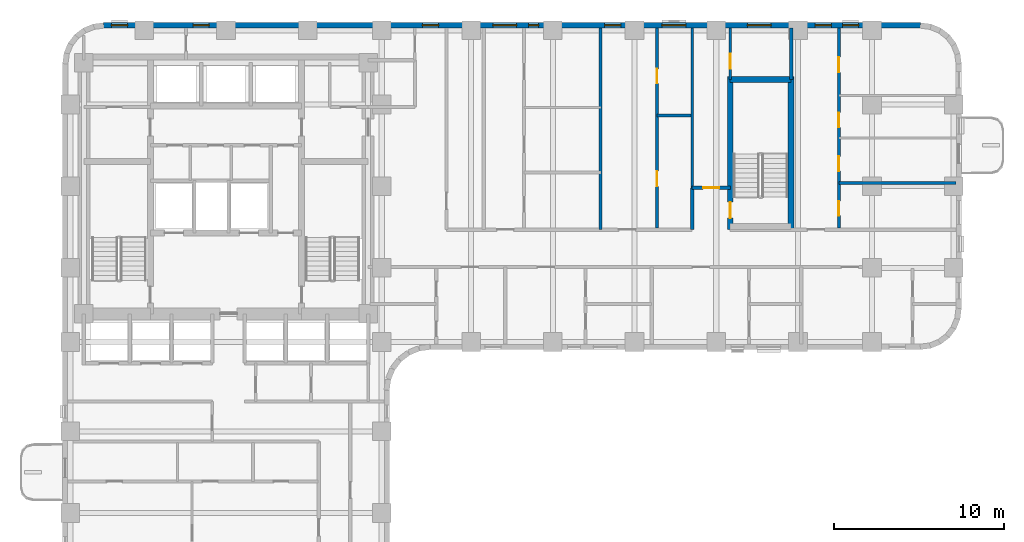
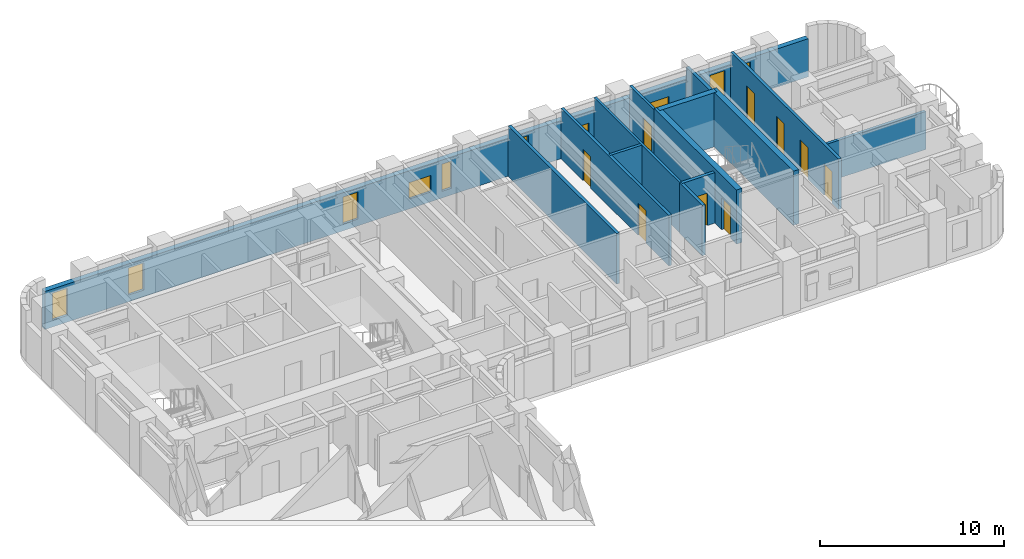
# One storey, part 7 of 11: 14 walls, 10 windows, 9 doors, 19 openings.
"""IFC4 building model written with IfcOpenShell, lengths in metres."""

from ifc_helpers import new_model, si_unit, direction, frame, frame_2d, origin, place, context, subcontext, project, spatial, rectangle, extrude, material, layer, layer_set, type_object, element, fill, save


model = new_model("IFC4")

# Units and contexts
model_context = context("Model", 3, precision=1e-05, world=origin(), true_north=direction((0.0, 1.0)))
body_context = subcontext(model_context, "Body", "Model", "MODEL_VIEW")
ifc_project = project(units=[si_unit("LENGTHUNIT", "METRE"), si_unit("AREAUNIT", "SQUARE_METRE"), si_unit("VOLUMEUNIT", "CUBIC_METRE"), si_unit("PLANEANGLEUNIT", "RADIAN"), si_unit("MASSUNIT", "GRAM", prefix="KILO")], contexts=[model_context])

# Site, building, storey
site_placement = place(None, origin())
site = spatial("IfcSite", under=ifc_project, at=site_placement, CompositionType="ELEMENT")
building_placement = place(site_placement, origin())
building = spatial("IfcBuilding", under=site, at=building_placement, Name="Orvandelia Arch Residences", CompositionType="ELEMENT")
storey_placement = place(building_placement, frame((0.0, 0.0, 79.0)))
storey = spatial("IfcBuildingStorey", under=building, at=storey_placement, Name="L20", CompositionType="ELEMENT", Elevation=79.0)

# Wall, opening, door
ifc_material_1 = material(Name="Concrete C50/60", Category="concrete")
ifc_layer_1 = layer(ifc_material_1, 0.35009765625, Name="Concrete C50/60", Category="concrete")
ifc_layer_set_1 = layer_set([ifc_layer_1], Name="Concrete C50/60")
wall_type_1 = type_object("IfcWallType", Name="WL-CORE-350", PredefinedType="SHEAR", material=ifc_layer_set_1)
wall_1_placement = place(storey_placement, frame((44.02001953125, 35.864990234375, 0.0), z_axis=(0.0, 0.0, 1.0), x_axis=(0.0, 1.0, 0.0)))
wall_1 = element("IfcWall", 1, at=wall_1_placement, inside=storey, type_object=wall_type_1, Name="East Stair Core Shear Wall L20-W", PredefinedType="SHEAR", context=body_context, shape_type="SweptSolid", body=[
    extrude(rectangle(XDim=8.969970703125, YDim=0.35009765625, at=frame_2d((4.48486328125, 0.0))), origin(), (0.0, 0.0, 1.0), 3.60009765625),
])
opening_1_placement = place(wall_1_placement, frame((0.64990234375, 0.0, 0.0)))
opening_1 = element("IfcOpeningElement", 2, at=opening_1_placement, cuts=wall_1, Name="Opening D7", PredefinedType="OPENING", context=body_context, shape_type="SweptSolid", body=[
    extrude(rectangle(XDim=0.949951171875, YDim=2.10009765625, at=frame_2d((0.47509765625, 1.050048828125))), frame((0.0, 0.18505859375, 0.0), z_axis=(0.0, -1.0, 0.0), x_axis=(1.0, 0.0, 0.0)), (0.0, 0.0, 1.0), 0.3701171875),
])
ifc_material_2 = material(Name="Pressurised Stairwell Fire Door")
door_type_1 = type_object("IfcDoorType", Name="DR-STAIR-950", OperationType="NOTDEFINED", PredefinedType="DOOR", material=ifc_material_2)
door_1_placement = place(opening_1_placement, origin())
door_1 = element("IfcDoor", 3, at=door_1_placement, inside=storey, type_object=door_type_1, Name="East Stairwell ST-3 Fire Door L20", OperationType="SINGLE_SWING_LEFT", OverallHeight=2.10009765625, OverallWidth=0.949951171875, PredefinedType="DOOR", context=body_context, shape_type="SweptSolid", body=[
    extrude(rectangle(XDim=0.949951171875, YDim=2.10009765625, at=frame_2d((0.47509765625, 1.050048828125))), frame((0.0, 0.02490234375, 0.0), z_axis=(0.0, -1.0, 0.0), x_axis=(1.0, 0.0, 0.0)), (0.0, 0.0, 1.0), 0.050048828125),
])
fill(opening_1, door_1)

# Walls
wall_2_placement = place(storey_placement, frame((47.60009765625, 35.864990234375, 0.0), z_axis=(0.0, 0.0, 1.0), x_axis=(0.0, 1.0, 0.0)))
element("IfcWall", 4, at=wall_2_placement, inside=storey, type_object=wall_type_1, Name="East Stair Core Shear Wall L20-E", PredefinedType="SHEAR", context=body_context, shape_type="SweptSolid", body=[
    extrude(rectangle(XDim=8.969970703125, YDim=0.35009765625, at=frame_2d((4.48486328125, 0.0))), origin(), (0.0, 0.0, 1.0), 3.60009765625),
])
wall_3_placement = place(storey_placement, frame((44.02001953125, 44.659912109375, 0.0), z_axis=(0.0, 0.0, 1.0), x_axis=(1.0, 0.0, 0.0)))
element("IfcWall", 5, at=wall_3_placement, inside=storey, type_object=wall_type_1, Name="East Stair Core Shear Wall L20-N", PredefinedType="SHEAR", context=body_context, shape_type="SweptSolid", body=[
    extrude(rectangle(XDim=3.580078125, YDim=0.35009765625, at=frame_2d((1.7900390625, 0.0))), origin(), (0.0, 0.0, 1.0), 3.60009765625),
])
ifc_material_3 = material(Name="Fire-Rated Corridor Partition")
ifc_layer_2 = layer(ifc_material_3, 0.199951171875, Name="Fire-Rated Corridor Partition")
ifc_layer_set_2 = layer_set([ifc_layer_2], Name="Fire-Rated Corridor Partition")
wall_type_2 = type_object("IfcWallType", Name="WL-CORR-200", PredefinedType="PARTITIONING", material=ifc_layer_set_2)
wall_4_placement = place(storey_placement, frame((41.780029296875, 35.85009765625, 0.0), z_axis=(0.0, 0.0, 1.0), x_axis=(0.0, 1.0, 0.0)))
element("IfcWall", 6, at=wall_4_placement, inside=storey, type_object=wall_type_2, Name="Interior Partition Wall WL-L20-ES-SW", PredefinedType="PARTITIONING", context=body_context, shape_type="SweptSolid", body=[
    extrude(rectangle(XDim=2.449951171875, YDim=0.199951171875, at=frame_2d((1.22509765625, 0.0))), origin(), (0.0, 0.0, 1.0), 3.35009765625),
])

# Wall, opening, door
wall_5_placement = place(storey_placement, frame((41.780029296875, 38.300048828125, 0.0), z_axis=(0.0, 0.0, 1.0), x_axis=(1.0, 0.0, 0.0)))
wall_5 = element("IfcWall", 7, at=wall_5_placement, inside=storey, type_object=wall_type_2, Name="Interior Partition Wall WL-L20-ES-SN", PredefinedType="PARTITIONING", context=body_context, shape_type="SweptSolid", body=[
    extrude(rectangle(XDim=2.239990234375, YDim=0.199951171875, at=frame_2d((1.1201171875, 0.0))), origin(), (0.0, 0.0, 1.0), 3.35009765625),
])
opening_2_placement = place(wall_5_placement, frame((0.64990234375, 0.0, 0.0)))
opening_2 = element("IfcOpeningElement", 8, at=opening_2_placement, cuts=wall_5, Name="Opening D2", PredefinedType="OPENING", context=body_context, shape_type="SweptSolid", body=[
    extrude(rectangle(XDim=0.949951171875, YDim=2.14990234375, at=frame_2d((0.47509765625, 1.074951171875))), frame((0.0, 0.10986328125, 0.0), z_axis=(0.0, -1.0, 0.0), x_axis=(1.0, 0.0, 0.0)), (0.0, 0.0, 1.0), 0.219970703125),
])
ifc_material_4 = material(Name="Solid-Core Timber Interior Fire Door", Category="wood")
door_type_2 = type_object("IfcDoorType", Name="DR-APT-950", OperationType="NOTDEFINED", PredefinedType="DOOR", material=ifc_material_4)
door_2_placement = place(opening_2_placement, origin())
door_2 = element("IfcDoor", 9, at=door_2_placement, inside=storey, type_object=door_type_2, Name="DR-L20-ESSPK", OperationType="SINGLE_SWING_LEFT", OverallHeight=2.14990234375, OverallWidth=0.949951171875, PredefinedType="DOOR", context=body_context, shape_type="SweptSolid", body=[
    extrude(rectangle(XDim=0.949951171875, YDim=2.14990234375, at=frame_2d((0.47509765625, 1.074951171875))), frame((0.0, 0.02490234375, 0.0), z_axis=(0.0, -1.0, 0.0), x_axis=(1.0, 0.0, 0.0)), (0.0, 0.0, 1.0), 0.050048828125),
])
fill(opening_2, door_2)

# Walls
ifc_material_5 = material(Name="Concrete C40/50", Category="concrete")
ifc_layer_3 = layer(ifc_material_5, 0.199951171875, Name="Concrete C40/50", Category="concrete")
ifc_layer_set_3 = layer_set([ifc_layer_3], Name="Concrete C40/50")
wall_type_3 = type_object("IfcWallType", Name="WL-DEM-200", PredefinedType="SOLIDWALL", material=ifc_layer_set_3)
wall_6_placement = place(storey_placement, frame((36.39990234375, 35.85009765625, 0.0), z_axis=(0.0, 0.0, 1.0), x_axis=(0.0, 1.0, 0.0)))
element("IfcWall", 10, at=wall_6_placement, inside=storey, type_object=wall_type_3, Name="Interior Partition Wall WL-L20-DEM-ESN-364", PredefinedType="SOLIDWALL", context=body_context, shape_type="SweptSolid", body=[
    extrude(rectangle(XDim=11.829833984375, YDim=0.199951171875, at=frame_2d((5.9150390625, 0.0))), origin(), (0.0, 0.0, 1.0), 3.35009765625),
])
wall_7_placement = place(storey_placement, frame((47.60009765625, 44.659912109375, 0.0), z_axis=(0.0, 0.0, 1.0), x_axis=(0.0, 1.0, 0.0)))
element("IfcWall", 11, at=wall_7_placement, inside=storey, type_object=wall_type_3, Name="Interior Partition Wall WL-L20-ES-NST3E", PredefinedType="SOLIDWALL", context=body_context, shape_type="SweptSolid", body=[
    extrude(rectangle(XDim=3.02001953125, YDim=0.199951171875, at=frame_2d((1.510009765625, 0.0))), origin(), (0.0, 0.0, 1.0), 3.35009765625),
])

# Wall, openings, windows
ifc_material_6 = material(Name="Precast concrete C40/50", Category="concrete")
ifc_layer_4 = layer(ifc_material_6, 0.320068359375, Name="Precast concrete C40/50", Category="concrete")
ifc_layer_set_4 = layer_set([ifc_layer_4], Name="Precast concrete C40/50")
wall_type_4 = type_object("IfcWallType", Name="WL-EXT-STONE-320", PredefinedType="STANDARD", material=ifc_layer_set_4)
wall_8_placement = place(storey_placement, frame((7.199951171875, 47.840087890625, 0.0), z_axis=(0.0, 0.0, 1.0), x_axis=(1.0, 0.0, 0.0)))
wall_8 = element("IfcWall", 12, at=wall_8_placement, inside=storey, type_object=wall_type_4, Name="Coral-Limestone Precast Facade Wall L20-007", PredefinedType="STANDARD", context=body_context, shape_type="SweptSolid", body=[
    extrude(rectangle(XDim=48.0, YDim=0.320068359375, at=frame_2d((24.0, 0.0))), origin(), (0.0, 0.0, 1.0), 2.530029296875),
])
opening_3_placement = place(wall_8_placement, frame((24.969970703125, 0.0, 0.449951171875)))
opening_3 = element("IfcOpeningElement", 13, at=opening_3_placement, cuts=wall_8, Name="Opening W12", PredefinedType="OPENING", context=body_context, shape_type="SweptSolid", body=[
    extrude(rectangle(XDim=0.60009765625, YDim=1.800048828125, at=frame_2d((0.300048828125, 0.89990234375))), frame((0.0, 0.169921875, 0.0), z_axis=(0.0, -1.0, 0.0), x_axis=(1.0, 0.0, 0.0)), (0.0, 0.0, 1.0), 0.340087890625),
])
opening_4_placement = place(wall_8_placement, frame((29.43994140625, 0.0, 0.449951171875)))
opening_4 = element("IfcOpeningElement", 14, at=opening_4_placement, cuts=wall_8, Name="Opening W4", PredefinedType="OPENING", context=body_context, shape_type="SweptSolid", body=[
    extrude(rectangle(XDim=0.949951171875, YDim=1.800048828125, at=frame_2d((0.47509765625, 0.89990234375))), frame((0.0, 0.169921875, 0.0), z_axis=(0.0, -1.0, 0.0), x_axis=(1.0, 0.0, 0.0)), (0.0, 0.0, 1.0), 0.340087890625),
])
opening_5_placement = place(wall_8_placement, frame((43.41357421875, 0.0, 0.449951171875)))
opening_5 = element("IfcOpeningElement", 15, at=opening_5_placement, cuts=wall_8, Name="Opening W4", PredefinedType="OPENING", context=body_context, shape_type="SweptSolid", body=[
    extrude(rectangle(XDim=0.949951171875, YDim=1.800048828125, at=frame_2d((0.47509765625, 0.89990234375))), frame((0.0, 0.169921875, 0.0), z_axis=(0.0, -1.0, 0.0), x_axis=(1.0, 0.0, 0.0)), (0.0, 0.0, 1.0), 0.340087890625),
])
opening_6_placement = place(wall_8_placement, frame((18.739990234375, 0.0, 0.449951171875)))
opening_6 = element("IfcOpeningElement", 16, at=opening_6_placement, cuts=wall_8, Name="Opening W4", PredefinedType="OPENING", context=body_context, shape_type="SweptSolid", body=[
    extrude(rectangle(XDim=0.949951171875, YDim=1.800048828125, at=frame_2d((0.47509765625, 0.89990234375))), frame((0.0, 0.169921875, 0.0), z_axis=(0.0, -1.0, 0.0), x_axis=(1.0, 0.0, 0.0)), (0.0, 0.0, 1.0), 0.340087890625),
])
opening_7_placement = place(wall_8_placement, frame((37.824951171875, 0.0, 0.64990234375)))
opening_7 = element("IfcOpeningElement", 17, at=opening_7_placement, cuts=wall_8, Name="Opening W10", PredefinedType="OPENING", context=body_context, shape_type="SweptSolid", body=[
    extrude(rectangle(XDim=1.39990234375, YDim=1.10009765625, at=frame_2d((0.699951171875, 0.550048828125))), frame((0.0, 0.169921875, 0.0), z_axis=(0.0, -1.0, 0.0), x_axis=(1.0, 0.0, 0.0)), (0.0, 0.0, 1.0), 0.340087890625),
])
opening_8_placement = place(wall_8_placement, frame((0.469970703125, 0.0, 0.449951171875)))
opening_8 = element("IfcOpeningElement", 18, at=opening_8_placement, cuts=wall_8, Name="Opening W4", PredefinedType="OPENING", context=body_context, shape_type="SweptSolid", body=[
    extrude(rectangle(XDim=0.949951171875, YDim=1.800048828125, at=frame_2d((0.47509765625, 0.89990234375))), frame((0.0, 0.169921875, 0.0), z_axis=(0.0, -1.0, 0.0), x_axis=(1.0, 0.0, 0.0)), (0.0, 0.0, 1.0), 0.340087890625),
])
opening_9_placement = place(wall_8_placement, frame((5.264892578125, 0.0, 0.449951171875)))
opening_9 = element("IfcOpeningElement", 19, at=opening_9_placement, cuts=wall_8, Name="Opening W4", PredefinedType="OPENING", context=body_context, shape_type="SweptSolid", body=[
    extrude(rectangle(XDim=0.949951171875, YDim=1.800048828125, at=frame_2d((0.47509765625, 0.89990234375))), frame((0.0, 0.169921875, 0.0), z_axis=(0.0, -1.0, 0.0), x_axis=(1.0, 0.0, 0.0)), (0.0, 0.0, 1.0), 0.340087890625),
])
opening_10_placement = place(wall_8_placement, frame((22.8701171875, 0.0, 0.64990234375)))
opening_10 = element("IfcOpeningElement", 20, at=opening_10_placement, cuts=wall_8, Name="Opening W10", PredefinedType="OPENING", context=body_context, shape_type="SweptSolid", body=[
    extrude(rectangle(XDim=1.39990234375, YDim=1.10009765625, at=frame_2d((0.699951171875, 0.550048828125))), frame((0.0, 0.169921875, 0.0), z_axis=(0.0, -1.0, 0.0), x_axis=(1.0, 0.0, 0.0)), (0.0, 0.0, 1.0), 0.340087890625),
])
opening_11_placement = place(wall_8_placement, frame((32.81005859375, 0.0, 0.64990234375)))
opening_11 = element("IfcOpeningElement", 21, at=opening_11_placement, cuts=wall_8, Name="Opening W10", PredefinedType="OPENING", context=body_context, shape_type="SweptSolid", body=[
    extrude(rectangle(XDim=1.39990234375, YDim=1.10009765625, at=frame_2d((0.699951171875, 0.550048828125))), frame((0.0, 0.169921875, 0.0), z_axis=(0.0, -1.0, 0.0), x_axis=(1.0, 0.0, 0.0)), (0.0, 0.0, 1.0), 0.340087890625),
])
opening_12_placement = place(wall_8_placement, frame((41.80859375, 0.0, 0.449951171875)))
opening_12 = element("IfcOpeningElement", 22, at=opening_12_placement, cuts=wall_8, Name="Opening W4", PredefinedType="OPENING", context=body_context, shape_type="SweptSolid", body=[
    extrude(rectangle(XDim=0.949951171875, YDim=1.800048828125, at=frame_2d((0.47509765625, 0.89990234375))), frame((0.0, 0.169921875, 0.0), z_axis=(0.0, -1.0, 0.0), x_axis=(1.0, 0.0, 0.0)), (0.0, 0.0, 1.0), 0.340087890625),
])
ifc_material_7 = material(Name="Tempered Low-E Insulated Glazing", Category="glass")
window_type_1 = type_object("IfcWindowType", Name="WIN-CLR-1400x1100", PartitioningType="SINGLE_PANEL", PredefinedType="WINDOW", material=ifc_material_7)
window_1_placement = place(opening_7_placement, origin())
window_1 = element("IfcWindow", 23, at=window_1_placement, inside=storey, type_object=window_type_1, Name="Recessed Punched Window L20-005", OverallHeight=1.10009765625, OverallWidth=1.39990234375, PartitioningType="SINGLE_PANEL", PredefinedType="WINDOW", context=body_context, shape_type="SweptSolid", body=[
    extrude(rectangle(XDim=1.39990234375, YDim=1.10009765625, at=frame_2d((0.699951171875, 0.550048828125))), frame((0.0, 0.030029296875, 0.0), z_axis=(0.0, -1.0, 0.0), x_axis=(1.0, 0.0, 0.0)), (0.0, 0.0, 1.0), 0.06005859375),
])
fill(opening_7, window_1)
window_2_placement = place(opening_10_placement, origin())
window_2 = element("IfcWindow", 24, at=window_2_placement, inside=storey, type_object=window_type_1, Name="Recessed Punched Window L20-008", OverallHeight=1.10009765625, OverallWidth=1.39990234375, PartitioningType="SINGLE_PANEL", PredefinedType="WINDOW", context=body_context, shape_type="SweptSolid", body=[
    extrude(rectangle(XDim=1.39990234375, YDim=1.10009765625, at=frame_2d((0.699951171875, 0.550048828125))), frame((0.0, 0.030029296875, 0.0), z_axis=(0.0, -1.0, 0.0), x_axis=(1.0, 0.0, 0.0)), (0.0, 0.0, 1.0), 0.06005859375),
])
fill(opening_10, window_2)
window_3_placement = place(opening_11_placement, origin())
window_3 = element("IfcWindow", 25, at=window_3_placement, inside=storey, type_object=window_type_1, Name="Recessed Punched Window L20-009", OverallHeight=1.10009765625, OverallWidth=1.39990234375, PartitioningType="SINGLE_PANEL", PredefinedType="WINDOW", context=body_context, shape_type="SweptSolid", body=[
    extrude(rectangle(XDim=1.39990234375, YDim=1.10009765625, at=frame_2d((0.699951171875, 0.550048828125))), frame((0.0, 0.030029296875, 0.0), z_axis=(0.0, -1.0, 0.0), x_axis=(1.0, 0.0, 0.0)), (0.0, 0.0, 1.0), 0.06005859375),
])
fill(opening_11, window_3)
window_type_2 = type_object("IfcWindowType", Name="WIN-LAN-0600x1800", PartitioningType="SINGLE_PANEL", PredefinedType="WINDOW", material=ifc_material_7)
window_4_placement = place(opening_3_placement, origin())
window_4 = element("IfcWindow", 26, at=window_4_placement, inside=storey, type_object=window_type_2, Name="Recessed Punched Window L20-001", OverallHeight=1.800048828125, OverallWidth=0.60009765625, PartitioningType="SINGLE_PANEL", PredefinedType="WINDOW", context=body_context, shape_type="SweptSolid", body=[
    extrude(rectangle(XDim=0.60009765625, YDim=1.800048828125, at=frame_2d((0.300048828125, 0.89990234375))), frame((0.0, 0.030029296875, 0.0), z_axis=(0.0, -1.0, 0.0), x_axis=(1.0, 0.0, 0.0)), (0.0, 0.0, 1.0), 0.06005859375),
])
fill(opening_3, window_4)
window_type_3 = type_object("IfcWindowType", Name="WIN-RES-0950x1800", PartitioningType="SINGLE_PANEL", PredefinedType="WINDOW", material=ifc_material_7)
window_5_placement = place(opening_4_placement, origin())
window_5 = element("IfcWindow", 27, at=window_5_placement, inside=storey, type_object=window_type_3, Name="Recessed Punched Window L20-002", OverallHeight=1.800048828125, OverallWidth=0.949951171875, PartitioningType="SINGLE_PANEL", PredefinedType="WINDOW", context=body_context, shape_type="SweptSolid", body=[
    extrude(rectangle(XDim=0.949951171875, YDim=1.800048828125, at=frame_2d((0.47509765625, 0.89990234375))), frame((0.0, 0.030029296875, 0.0), z_axis=(0.0, -1.0, 0.0), x_axis=(1.0, 0.0, 0.0)), (0.0, 0.0, 1.0), 0.06005859375),
])
fill(opening_4, window_5)
window_6_placement = place(opening_5_placement, origin())
window_6 = element("IfcWindow", 28, at=window_6_placement, inside=storey, type_object=window_type_3, Name="Recessed Punched Window L20-003", OverallHeight=1.800048828125, OverallWidth=0.949951171875, PartitioningType="SINGLE_PANEL", PredefinedType="WINDOW", context=body_context, shape_type="SweptSolid", body=[
    extrude(rectangle(XDim=0.949951171875, YDim=1.800048828125, at=frame_2d((0.47509765625, 0.89990234375))), frame((0.0, 0.030029296875, 0.0), z_axis=(0.0, -1.0, 0.0), x_axis=(1.0, 0.0, 0.0)), (0.0, 0.0, 1.0), 0.06005859375),
])
fill(opening_5, window_6)
window_7_placement = place(opening_6_placement, origin())
window_7 = element("IfcWindow", 29, at=window_7_placement, inside=storey, type_object=window_type_3, Name="Recessed Punched Window L20-004", OverallHeight=1.800048828125, OverallWidth=0.949951171875, PartitioningType="SINGLE_PANEL", PredefinedType="WINDOW", context=body_context, shape_type="SweptSolid", body=[
    extrude(rectangle(XDim=0.949951171875, YDim=1.800048828125, at=frame_2d((0.47509765625, 0.89990234375))), frame((0.0, 0.030029296875, 0.0), z_axis=(0.0, -1.0, 0.0), x_axis=(1.0, 0.0, 0.0)), (0.0, 0.0, 1.0), 0.06005859375),
])
fill(opening_6, window_7)
window_8_placement = place(opening_8_placement, origin())
window_8 = element("IfcWindow", 30, at=window_8_placement, inside=storey, type_object=window_type_3, Name="Recessed Punched Window L20-006", OverallHeight=1.800048828125, OverallWidth=0.949951171875, PartitioningType="SINGLE_PANEL", PredefinedType="WINDOW", context=body_context, shape_type="SweptSolid", body=[
    extrude(rectangle(XDim=0.949951171875, YDim=1.800048828125, at=frame_2d((0.47509765625, 0.89990234375))), frame((0.0, 0.030029296875, 0.0), z_axis=(0.0, -1.0, 0.0), x_axis=(1.0, 0.0, 0.0)), (0.0, 0.0, 1.0), 0.06005859375),
])
fill(opening_8, window_8)
window_9_placement = place(opening_9_placement, origin())
window_9 = element("IfcWindow", 31, at=window_9_placement, inside=storey, type_object=window_type_3, Name="Recessed Punched Window L20-007", OverallHeight=1.800048828125, OverallWidth=0.949951171875, PartitioningType="SINGLE_PANEL", PredefinedType="WINDOW", context=body_context, shape_type="SweptSolid", body=[
    extrude(rectangle(XDim=0.949951171875, YDim=1.800048828125, at=frame_2d((0.47509765625, 0.89990234375))), frame((0.0, 0.030029296875, 0.0), z_axis=(0.0, -1.0, 0.0), x_axis=(1.0, 0.0, 0.0)), (0.0, 0.0, 1.0), 0.06005859375),
])
fill(opening_9, window_9)
window_10_placement = place(opening_12_placement, origin())
window_10 = element("IfcWindow", 32, at=window_10_placement, inside=storey, type_object=window_type_3, Name="Recessed Punched Window L20-010", OverallHeight=1.800048828125, OverallWidth=0.949951171875, PartitioningType="SINGLE_PANEL", PredefinedType="WINDOW", context=body_context, shape_type="SweptSolid", body=[
    extrude(rectangle(XDim=0.949951171875, YDim=1.800048828125, at=frame_2d((0.47509765625, 0.89990234375))), frame((0.0, 0.030029296875, 0.0), z_axis=(0.0, -1.0, 0.0), x_axis=(1.0, 0.0, 0.0)), (0.0, 0.0, 1.0), 0.06005859375),
])
fill(opening_12, window_10)

# Wall
ifc_material_8 = material(Name="Acoustic Gypsum Stud Partition")
ifc_layer_5 = layer(ifc_material_8, 0.14990234375, Name="Acoustic Gypsum Stud Partition")
ifc_layer_set_5 = layer_set([ifc_layer_5], Name="Acoustic Gypsum Stud Partition")
wall_type_5 = type_object("IfcWallType", Name="WL-PART-150", PredefinedType="PARTITIONING", material=ifc_layer_set_5)
wall_9_placement = place(storey_placement, frame((41.780029296875, 38.300048828125, 0.0), z_axis=(0.0, 0.0, 1.0), x_axis=(0.0, 1.0, 0.0)))
element("IfcWall", 33, at=wall_9_placement, inside=storey, type_object=wall_type_5, Name="Interior Partition Wall WL-L20-ES-SPKW", PredefinedType="PARTITIONING", context=body_context, shape_type="SweptSolid", body=[
    extrude(rectangle(XDim=9.3798828125, YDim=0.14990234375, at=frame_2d((4.68994140625, 0.0))), origin(), (0.0, 0.0, 1.0), 3.35009765625),
])

# Wall, opening, door
wall_10_placement = place(storey_placement, frame((44.02001953125, 44.659912109375, 0.0), z_axis=(0.0, 0.0, 1.0), x_axis=(0.0, 1.0, 0.0)))
wall_10 = element("IfcWall", 34, at=wall_10_placement, inside=storey, type_object=wall_type_5, Name="Interior Partition Wall WL-L20-ES-NST3W", PredefinedType="PARTITIONING", context=body_context, shape_type="SweptSolid", body=[
    extrude(rectangle(XDim=3.02001953125, YDim=0.14990234375, at=frame_2d((1.510009765625, 0.0))), origin(), (0.0, 0.0, 1.0), 3.35009765625),
])
opening_13_placement = place(wall_10_placement, frame((0.64990234375, 0.0, 0.0)))
opening_13 = element("IfcOpeningElement", 35, at=opening_13_placement, cuts=wall_10, Name="Opening D5", PredefinedType="OPENING", context=body_context, shape_type="SweptSolid", body=[
    extrude(rectangle(XDim=0.8798828125, YDim=2.10009765625, at=frame_2d((0.43994140625, 1.050048828125))), frame((0.0, 0.0849609375, 0.0), z_axis=(0.0, -1.0, 0.0), x_axis=(1.0, 0.0, 0.0)), (0.0, 0.0, 1.0), 0.169921875),
])
ifc_material_9 = material(Name="Painted Galvanised Steel Service Door", Category="steel")
door_type_3 = type_object("IfcDoorType", Name="DR-SRV-880", OperationType="NOTDEFINED", PredefinedType="DOOR", material=ifc_material_9)
door_3_placement = place(opening_13_placement, origin())
door_3 = element("IfcDoor", 36, at=door_3_placement, inside=storey, type_object=door_type_3, Name="DR-L20-ESNST3", OperationType="SINGLE_SWING_RIGHT", OverallHeight=2.10009765625, OverallWidth=0.8798828125, PredefinedType="DOOR", context=body_context, shape_type="SweptSolid", body=[
    extrude(rectangle(XDim=0.8798828125, YDim=2.10009765625, at=frame_2d((0.43994140625, 1.050048828125))), frame((0.0, 0.02490234375, 0.0), z_axis=(0.0, -1.0, 0.0), x_axis=(1.0, 0.0, 0.0)), (0.0, 0.0, 1.0), 0.050048828125),
])
fill(opening_13, door_3)

# Wall, openings, doors
ifc_material_10 = material(Name="Moisture-Resistant Plumbing Wall")
ifc_layer_6 = layer(ifc_material_10, 0.179931640625, Name="Moisture-Resistant Plumbing Wall")
ifc_layer_set_6 = layer_set([ifc_layer_6], Name="Moisture-Resistant Plumbing Wall")
wall_type_6 = type_object("IfcWallType", Name="WL-WET-180", PredefinedType="PLUMBINGWALL", material=ifc_layer_set_6)
wall_11_placement = place(storey_placement, frame((39.719970703125, 35.929931640625, 0.0), z_axis=(0.0, 0.0, 1.0), x_axis=(0.0, 1.0, 0.0)))
wall_11 = element("IfcWall", 37, at=wall_11_placement, inside=storey, type_object=wall_type_6, Name="Interior Partition Wall WL-L20-U09-VT", PredefinedType="PLUMBINGWALL", context=body_context, shape_type="SweptSolid", body=[
    extrude(rectangle(XDim=11.75, YDim=0.179931640625, at=frame_2d((5.875, 0.0))), origin(), (0.0, 0.0, 1.0), 3.35009765625),
])
opening_14_placement = place(wall_11_placement, frame((2.458740234375, 0.0, 0.0)))
opening_14 = element("IfcOpeningElement", 38, at=opening_14_placement, cuts=wall_11, Name="Opening D3", PredefinedType="OPENING", context=body_context, shape_type="SweptSolid", body=[
    extrude(rectangle(XDim=0.89990234375, YDim=2.14990234375, at=frame_2d((0.449951171875, 1.074951171875))), frame((0.0, 0.10009765625, 0.0), z_axis=(0.0, -1.0, 0.0), x_axis=(1.0, 0.0, 0.0)), (0.0, 0.0, 1.0), 0.199951171875),
])
opening_15_placement = place(wall_11_placement, frame((8.502197265625, 0.0, 0.0)))
opening_15 = element("IfcOpeningElement", 39, at=opening_15_placement, cuts=wall_11, Name="Opening D4", PredefinedType="OPENING", context=body_context, shape_type="SweptSolid", body=[
    extrude(rectangle(XDim=0.860107421875, YDim=2.10009765625, at=frame_2d((0.43017578125, 1.050048828125))), frame((0.0, 0.10009765625, 0.0), z_axis=(0.0, -1.0, 0.0), x_axis=(1.0, 0.0, 0.0)), (0.0, 0.0, 1.0), 0.199951171875),
])
ifc_material_11 = material(Name="Engineered Timber Flush Door", Category="wood")
door_type_4 = type_object("IfcDoorType", Name="DR-INT-900", OperationType="NOTDEFINED", PredefinedType="DOOR", material=ifc_material_11)
door_4_placement = place(opening_14_placement, origin())
door_4 = element("IfcDoor", 40, at=door_4_placement, inside=storey, type_object=door_type_4, Name="DR-L20-U09-KIT", OperationType="SINGLE_SWING_LEFT", OverallHeight=2.14990234375, OverallWidth=0.89990234375, PredefinedType="DOOR", context=body_context, shape_type="SweptSolid", body=[
    extrude(rectangle(XDim=0.89990234375, YDim=2.14990234375, at=frame_2d((0.449951171875, 1.074951171875))), frame((0.0, 0.02490234375, 0.0), z_axis=(0.0, -1.0, 0.0), x_axis=(1.0, 0.0, 0.0)), (0.0, 0.0, 1.0), 0.050048828125),
])
fill(opening_14, door_4)
ifc_material_12 = material(Name="Moisture-Sealed Timber Bathroom Door", Category="wood")
door_type_5 = type_object("IfcDoorType", Name="DR-WET-900", OperationType="NOTDEFINED", PredefinedType="DOOR", material=ifc_material_12)
door_5_placement = place(opening_15_placement, origin())
door_5 = element("IfcDoor", 41, at=door_5_placement, inside=storey, type_object=door_type_5, Name="DR-L20-U09-BTH", OperationType="SINGLE_SWING_RIGHT", OverallHeight=2.10009765625, OverallWidth=0.860107421875, PredefinedType="DOOR", context=body_context, shape_type="SweptSolid", body=[
    extrude(rectangle(XDim=0.860107421875, YDim=2.10009765625, at=frame_2d((0.43017578125, 1.050048828125))), frame((0.0, 0.02490234375, 0.0), z_axis=(0.0, -1.0, 0.0), x_axis=(1.0, 0.0, 0.0)), (0.0, 0.0, 1.0), 0.050048828125),
])
fill(opening_15, door_5)

# Wall
wall_12_placement = place(storey_placement, frame((39.719970703125, 42.5439453125, 0.0), z_axis=(0.0, 0.0, 1.0), x_axis=(1.0, 0.0, 0.0)))
element("IfcWall", 42, at=wall_12_placement, inside=storey, type_object=wall_type_6, Name="Interior Partition Wall WL-L20-U09-H1", PredefinedType="PLUMBINGWALL", context=body_context, shape_type="SweptSolid", body=[
    extrude(rectangle(XDim=1.97998046875, YDim=0.179931640625, at=frame_2d((0.989990234375, 0.0))), origin(), (0.0, 0.0, 1.0), 3.35009765625),
])

# Wall, openings, doors
wall_13_placement = place(storey_placement, frame((50.39697265625, 35.949951171875, 0.0), z_axis=(0.0, 0.0, 1.0), x_axis=(0.0, 1.0, 0.0)))
wall_13 = element("IfcWall", 43, at=wall_13_placement, inside=storey, type_object=wall_type_6, Name="Interior Partition Wall WL-L20-U10-VT", PredefinedType="PLUMBINGWALL", context=body_context, shape_type="SweptSolid", body=[
    extrude(rectangle(XDim=11.72998046875, YDim=0.179931640625, at=frame_2d((5.864990234375, 0.0))), origin(), (0.0, 0.0, 1.0), 3.35009765625),
])
opening_16_placement = place(wall_13_placement, frame((0.7158203125, 0.0, 0.0)))
opening_16 = element("IfcOpeningElement", 44, at=opening_16_placement, cuts=wall_13, Name="Opening D4", PredefinedType="OPENING", context=body_context, shape_type="SweptSolid", body=[
    extrude(rectangle(XDim=0.860107421875, YDim=2.10009765625, at=frame_2d((0.43017578125, 1.050048828125))), frame((0.0, 0.10009765625, 0.0), z_axis=(0.0, -1.0, 0.0), x_axis=(1.0, 0.0, 0.0)), (0.0, 0.0, 1.0), 0.199951171875),
])
opening_17_placement = place(wall_13_placement, frame((3.3349609375, 0.0, 0.0)))
opening_17 = element("IfcOpeningElement", 45, at=opening_17_placement, cuts=wall_13, Name="Opening D4", PredefinedType="OPENING", context=body_context, shape_type="SweptSolid", body=[
    extrude(rectangle(XDim=0.860107421875, YDim=2.10009765625, at=frame_2d((0.43017578125, 1.050048828125))), frame((0.0, 0.10009765625, 0.0), z_axis=(0.0, -1.0, 0.0), x_axis=(1.0, 0.0, 0.0)), (0.0, 0.0, 1.0), 0.199951171875),
])
opening_18_placement = place(wall_13_placement, frame((5.90673828125, 0.0, 0.0)))
opening_18 = element("IfcOpeningElement", 46, at=opening_18_placement, cuts=wall_13, Name="Opening D4", PredefinedType="OPENING", context=body_context, shape_type="SweptSolid", body=[
    extrude(rectangle(XDim=0.860107421875, YDim=2.10009765625, at=frame_2d((0.43017578125, 1.050048828125))), frame((0.0, 0.10009765625, 0.0), z_axis=(0.0, -1.0, 0.0), x_axis=(1.0, 0.0, 0.0)), (0.0, 0.0, 1.0), 0.199951171875),
])
opening_19_placement = place(wall_13_placement, frame((9.12841796875, 0.0, 0.0)))
opening_19 = element("IfcOpeningElement", 47, at=opening_19_placement, cuts=wall_13, Name="Opening D3", PredefinedType="OPENING", context=body_context, shape_type="SweptSolid", body=[
    extrude(rectangle(XDim=0.89990234375, YDim=2.14990234375, at=frame_2d((0.449951171875, 1.074951171875))), frame((0.0, 0.10009765625, 0.0), z_axis=(0.0, -1.0, 0.0), x_axis=(1.0, 0.0, 0.0)), (0.0, 0.0, 1.0), 0.199951171875),
])
door_6_placement = place(opening_19_placement, origin())
door_6 = element("IfcDoor", 48, at=door_6_placement, inside=storey, type_object=door_type_4, Name="DR-L20-U10-BD1", OperationType="SINGLE_SWING_RIGHT", OverallHeight=2.14990234375, OverallWidth=0.89990234375, PredefinedType="DOOR", context=body_context, shape_type="SweptSolid", body=[
    extrude(rectangle(XDim=0.89990234375, YDim=2.14990234375, at=frame_2d((0.449951171875, 1.074951171875))), frame((0.0, 0.02490234375, 0.0), z_axis=(0.0, -1.0, 0.0), x_axis=(1.0, 0.0, 0.0)), (0.0, 0.0, 1.0), 0.050048828125),
])
fill(opening_19, door_6)
door_7_placement = place(opening_16_placement, origin())
door_7 = element("IfcDoor", 49, at=door_7_placement, inside=storey, type_object=door_type_5, Name="DR-L20-U10-BTH", OperationType="SINGLE_SWING_LEFT", OverallHeight=2.10009765625, OverallWidth=0.860107421875, PredefinedType="DOOR", context=body_context, shape_type="SweptSolid", body=[
    extrude(rectangle(XDim=0.860107421875, YDim=2.10009765625, at=frame_2d((0.43017578125, 1.050048828125))), frame((0.0, 0.02490234375, 0.0), z_axis=(0.0, -1.0, 0.0), x_axis=(1.0, 0.0, 0.0)), (0.0, 0.0, 1.0), 0.050048828125),
])
fill(opening_16, door_7)
door_8_placement = place(opening_17_placement, origin())
door_8 = element("IfcDoor", 50, at=door_8_placement, inside=storey, type_object=door_type_5, Name="DR-L20-U10-KIT", OperationType="SINGLE_SWING_RIGHT", OverallHeight=2.10009765625, OverallWidth=0.860107421875, PredefinedType="DOOR", context=body_context, shape_type="SweptSolid", body=[
    extrude(rectangle(XDim=0.860107421875, YDim=2.10009765625, at=frame_2d((0.43017578125, 1.050048828125))), frame((0.0, 0.02490234375, 0.0), z_axis=(0.0, -1.0, 0.0), x_axis=(1.0, 0.0, 0.0)), (0.0, 0.0, 1.0), 0.050048828125),
])
fill(opening_17, door_8)
door_9_placement = place(opening_18_placement, origin())
door_9 = element("IfcDoor", 51, at=door_9_placement, inside=storey, type_object=door_type_5, Name="DR-L20-U10-STDY", OperationType="SINGLE_SWING_LEFT", OverallHeight=2.10009765625, OverallWidth=0.860107421875, PredefinedType="DOOR", context=body_context, shape_type="SweptSolid", body=[
    extrude(rectangle(XDim=0.860107421875, YDim=2.10009765625, at=frame_2d((0.43017578125, 1.050048828125))), frame((0.0, 0.02490234375, 0.0), z_axis=(0.0, -1.0, 0.0), x_axis=(1.0, 0.0, 0.0)), (0.0, 0.0, 1.0), 0.050048828125),
])
fill(opening_18, door_9)

# Wall
wall_14_placement = place(storey_placement, frame((50.39697265625, 38.591064453125, 0.0), z_axis=(0.0, 0.0, 1.0), x_axis=(1.0, 0.0, 0.0)))
element("IfcWall", 52, at=wall_14_placement, inside=storey, type_object=wall_type_6, Name="Interior Partition Wall WL-L20-U10-H1", PredefinedType="PLUMBINGWALL", context=body_context, shape_type="SweptSolid", body=[
    extrude(rectangle(XDim=6.883056640625, YDim=0.179931640625, at=frame_2d((3.44140625, 0.0))), origin(), (0.0, 0.0, 1.0), 2.530029296875),
])

save(model, "model.ifc")
